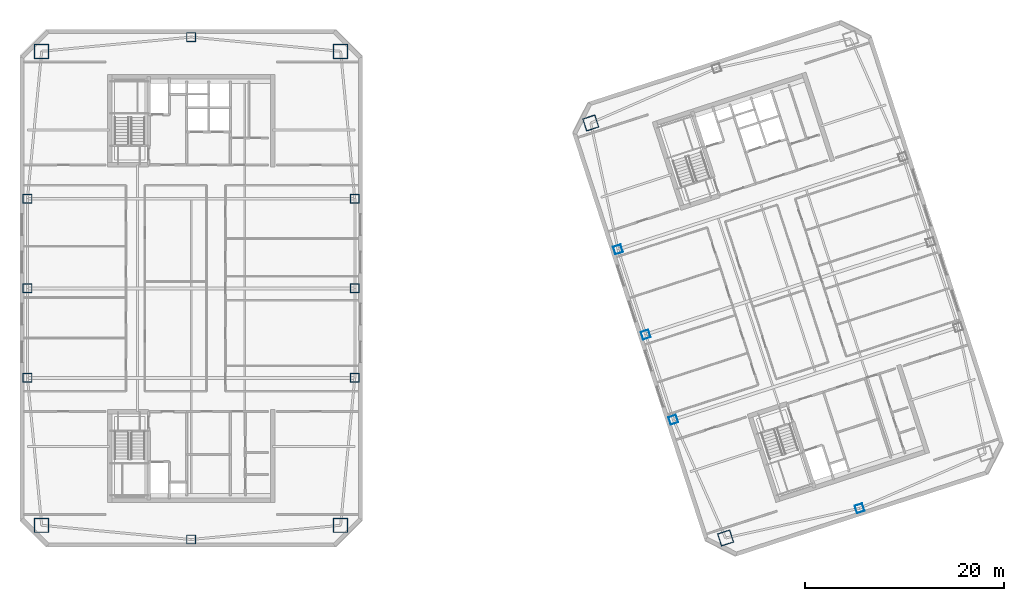
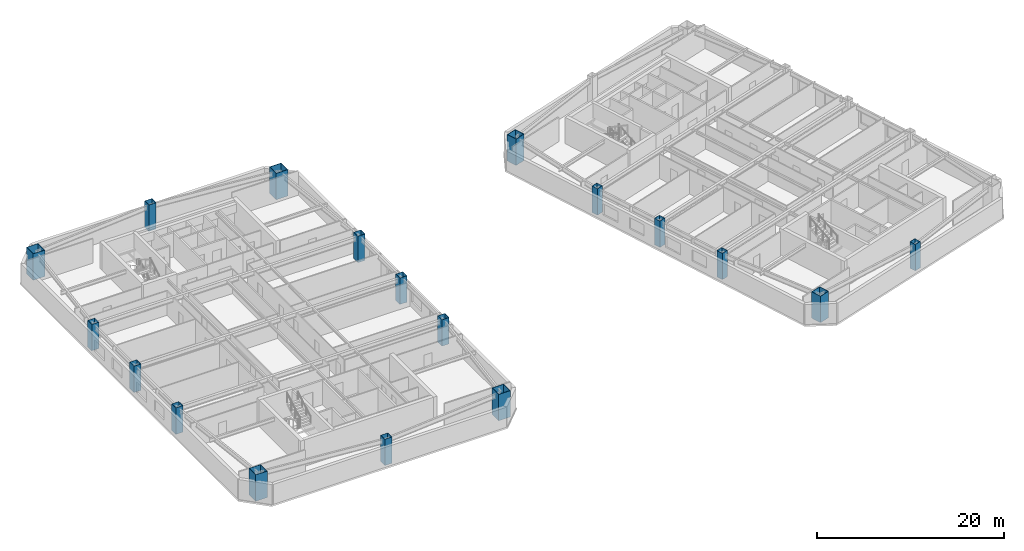
# One storey, part 1 of 13: 18 columns.
"""IFC4 building model written with IfcOpenShell, lengths in metres."""

from ifc_helpers import new_model, si_unit, direction, frame, origin, origin_2d, place, context, subcontext, project, spatial, hollow_rectangle, extrude, material, material_profile, profile_set, type_object, element, save


model = new_model("IFC4")

# Units and contexts
model_context = context("Model", 3, precision=1e-05, world=origin(), true_north=direction((0.0, 1.0)))
body_context = subcontext(model_context, "Body", "Model", "MODEL_VIEW")
ifc_project = project(units=[si_unit("LENGTHUNIT", "METRE"), si_unit("AREAUNIT", "SQUARE_METRE"), si_unit("VOLUMEUNIT", "CUBIC_METRE"), si_unit("PLANEANGLEUNIT", "RADIAN"), si_unit("MASSUNIT", "GRAM", prefix="KILO")], contexts=[model_context])

# Site, building, storey
site_placement = place(None, origin())
site = spatial("IfcSite", under=ifc_project, at=site_placement, CompositionType="ELEMENT")
building_placement = place(site_placement, origin())
building = spatial("IfcBuilding", under=site, at=building_placement, Name="Qiaolan Cultural Towers", CompositionType="ELEMENT")
storey_placement = place(building_placement, frame((0.0, 0.0, 192.050048828125)))
storey = spatial("IfcBuildingStorey", under=building, at=storey_placement, Name="L51", CompositionType="ELEMENT", Elevation=192.050048828125)

# Columns
ifc_material_1 = material(Name="Steel Q390GJB", Category="steel")
ifc_material_profile_1 = material_profile(ifc_material_1, hollow_rectangle(XDim=1.300048828125, YDim=1.300048828125, WallThickness=0.044921875, at=origin_2d()), Name="BOX1300x1300x45")
ifc_profile_set_1 = profile_set([ifc_material_profile_1], Name="Steel Q390GJB")
column_type_1 = type_object("IfcColumnType", Name="COL-BOX1300x1300x45", PredefinedType="COLUMN", material=ifc_profile_set_1)
for number, where, z_axis, x_axis, name in (
    (1, (83.71875, 8.900634765625, 0.0), (0.0, 0.0, 1.0), (0.951056516295, 0.309016994375, 0.0), "L51 T2 Perimeter Column MC-SW"),
    (2, (70.165283203125, 50.61376953125, 0.0), (0.0, 0.0, 1.0), (0.951056516295, 0.309016994375, 0.0), "L51 T2 Perimeter Column MC-NW"),
):
    element("IfcColumn", number, at=place(storey_placement, frame(where, z_axis=z_axis, x_axis=x_axis)), inside=storey, type_object=column_type_1, Name=name, PredefinedType="COLUMN", context=body_context, shape_type="SweptSolid", body=[
        extrude(hollow_rectangle(XDim=1.300048828125, YDim=1.300048828125, WallThickness=0.044921875, at=origin_2d()), origin(), (0.0, 0.0, 1.0), 3.450927734375),
    ])
ifc_material_2 = material(Name="Steel Q420GJB", Category="steel")
ifc_material_profile_2 = material_profile(ifc_material_2, hollow_rectangle(XDim=1.449951171875, YDim=1.449951171875, WallThickness=0.050048828125, at=origin_2d()), Name="BOX1450x1450x50")
ifc_profile_set_2 = profile_set([ifc_material_profile_2], Name="Steel Q420GJB")
column_type_2 = type_object("IfcColumnType", Name="COL-BOX1450x1450x50", PredefinedType="COLUMN", material=ifc_profile_set_2)
for number, where, z_axis, x_axis, name in (
    (3, (14.97998046875, 10.179931640625, 0.0), (0.0, 0.0, 1.0), (1.0, 0.0, 0.0), "L51 T1 Perimeter Column MC-SW"),
    (4, (45.02001953125, 10.179931640625, 0.0), (0.0, 0.0, 1.0), (1.0, 0.0, 0.0), "L51 T1 Perimeter Column MC-SE"),
    (5, (45.02001953125, 57.820068359375, 0.0), (0.0, 0.0, 1.0), (1.0, 0.0, 0.0), "L51 T1 Perimeter Column MC-NE"),
    (6, (14.97998046875, 57.820068359375, 0.0), (0.0, 0.0, 1.0), (1.0, 0.0, 0.0), "L51 T1 Perimeter Column MC-NW"),
):
    element("IfcColumn", number, at=place(storey_placement, frame(where, z_axis=z_axis, x_axis=x_axis)), inside=storey, type_object=column_type_2, Name=name, PredefinedType="COLUMN", context=body_context, shape_type="SweptSolid", body=[
        extrude(hollow_rectangle(XDim=1.449951171875, YDim=1.449951171875, WallThickness=0.050048828125, at=origin_2d()), origin(), (0.0, 0.0, 1.0), 3.450927734375),
    ])
ifc_material_3 = material(Name="Steel Q355B", Category="steel")
ifc_material_profile_3 = material_profile(ifc_material_3, hollow_rectangle(XDim=0.800048828125, YDim=0.800048828125, WallThickness=0.028076171875, at=origin_2d()), Name="BOX800x800x28")
ifc_profile_set_3 = profile_set([ifc_material_profile_3], Name="Steel Q355B")
column_type_3 = type_object("IfcColumnType", Name="COL-BOX800x800x28", PredefinedType="COLUMN", material=ifc_profile_set_3)
for number, where, z_axis, x_axis, name in (
    (7, (78.4677734375, 20.789794921875, 0.0), (0.0, 0.0, 1.0), (0.951056516295, 0.309016994375, 0.0), "L51 T2 Perimeter Column PC-W1"),
    (8, (75.6865234375, 29.349365234375, 0.0), (0.0, 0.0, 1.0), (0.951056516295, 0.309016994375, 0.0), "L51 T2 Perimeter Column PC-W2"),
    (9, (72.905517578125, 37.90869140625, 0.0), (0.0, 0.0, 1.0), (0.951056516295, 0.309016994375, 0.0), "L51 T2 Perimeter Column PC-W3"),
    (10, (97.1845703125, 11.887939453125, 0.0), (0.0, 0.0, 1.0), (0.951056516295, 0.309016994375, 0.0), "L51 T2 Perimeter Column PC-S0"),
):
    element("IfcColumn", number, at=place(storey_placement, frame(where, z_axis=z_axis, x_axis=x_axis)), inside=storey, type_object=column_type_3, Name=name, PredefinedType="COLUMN", context=body_context, shape_type="SweptSolid", body=[
        extrude(hollow_rectangle(XDim=0.800048828125, YDim=0.800048828125, WallThickness=0.028076171875, at=origin_2d()), origin(), (0.0, 0.0, 1.0), 3.450927734375),
    ])
ifc_material_4 = material(Name="Steel Q355B", Category="steel")
ifc_material_profile_4 = material_profile(ifc_material_4, hollow_rectangle(XDim=0.89990234375, YDim=0.89990234375, WallThickness=0.031982421875, at=origin_2d()), Name="BOX900x900x32")
ifc_profile_set_4 = profile_set([ifc_material_profile_4], Name="Steel Q355B")
column_type_4 = type_object("IfcColumnType", Name="COL-BOX900x900x32", PredefinedType="COLUMN", material=ifc_profile_set_4)
for number, where, z_axis, x_axis, name in (
    (11, (13.550048828125, 25.0, 0.0), (0.0, 0.0, 1.0), (1.0, 0.0, 0.0), "L51 T1 Perimeter Column PC-W1"),
    (12, (13.550048828125, 34.0, 0.0), (0.0, 0.0, 1.0), (1.0, 0.0, 0.0), "L51 T1 Perimeter Column PC-W2"),
    (13, (13.550048828125, 43.0, 0.0), (0.0, 0.0, 1.0), (1.0, 0.0, 0.0), "L51 T1 Perimeter Column PC-W3"),
    (14, (46.449951171875, 25.0, 0.0), (0.0, 0.0, 1.0), (1.0, 0.0, 0.0), "L51 T1 Perimeter Column PC-E1"),
    (15, (46.449951171875, 34.0, 0.0), (0.0, 0.0, 1.0), (1.0, 0.0, 0.0), "L51 T1 Perimeter Column PC-E2"),
    (16, (46.449951171875, 43.0, 0.0), (0.0, 0.0, 1.0), (1.0, 0.0, 0.0), "L51 T1 Perimeter Column PC-E3"),
    (17, (30.0, 8.75, 0.0), (0.0, 0.0, 1.0), (1.0, 0.0, 0.0), "L51 T1 Perimeter Column PC-S0"),
    (18, (30.0, 59.25, 0.0), (0.0, 0.0, 1.0), (1.0, 0.0, 0.0), "L51 T1 Perimeter Column PC-N0"),
):
    element("IfcColumn", number, at=place(storey_placement, frame(where, z_axis=z_axis, x_axis=x_axis)), inside=storey, type_object=column_type_4, Name=name, PredefinedType="COLUMN", context=body_context, shape_type="SweptSolid", body=[
        extrude(hollow_rectangle(XDim=0.89990234375, YDim=0.89990234375, WallThickness=0.031982421875, at=origin_2d()), origin(), (0.0, 0.0, 1.0), 3.450927734375),
    ])

save(model, "model.ifc")
